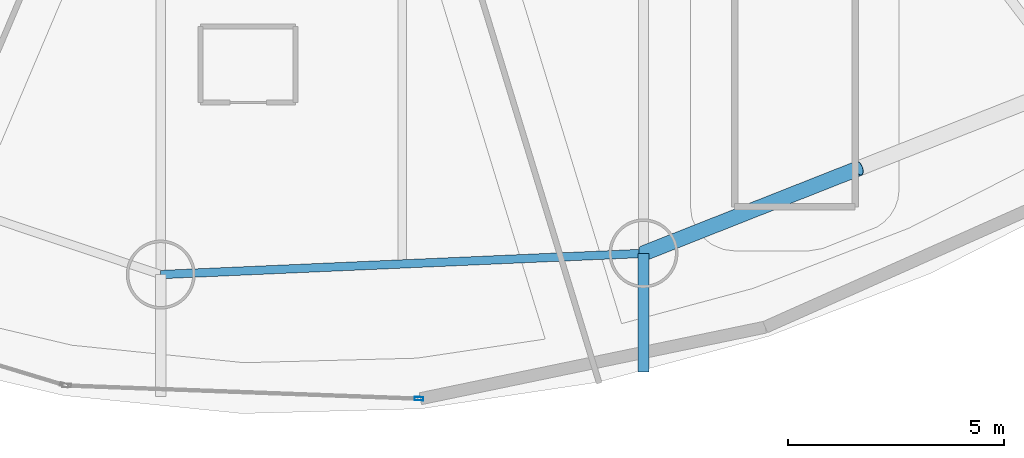
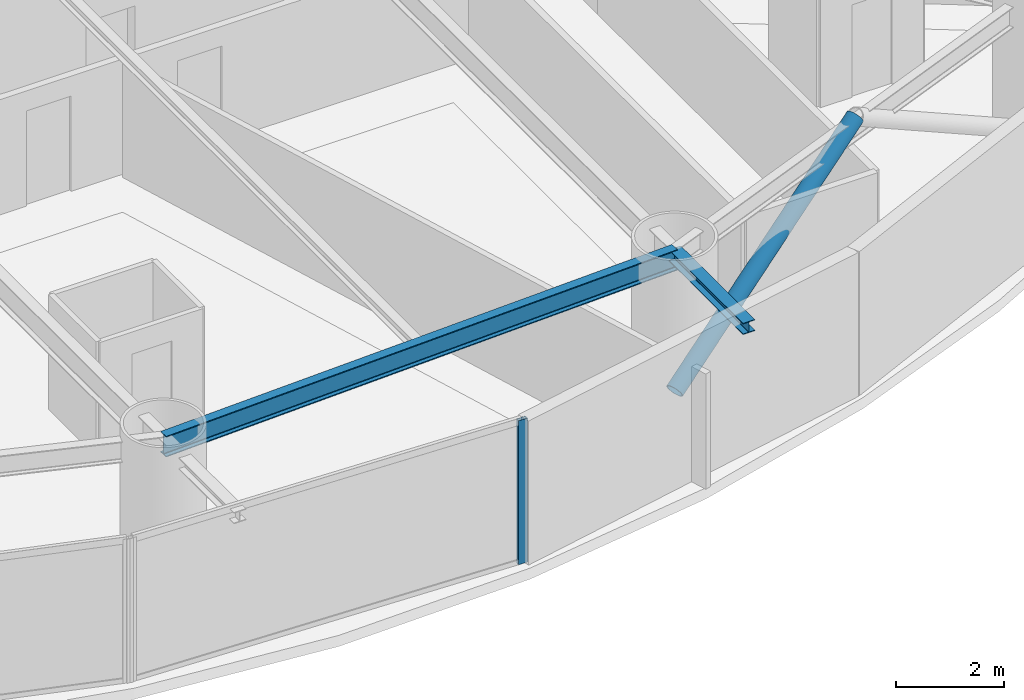
# One storey, part 8 of 27: 2 beams, 2 members, 1 element without a shape of its own.
"""IFC4 building model written with IfcOpenShell, lengths in metres."""

from ifc_helpers import new_model, si_unit, direction, frame, origin, origin_2d, place, context, subcontext, project, spatial, hollow_rectangle, hollow_circle, i_section, extrude, material, layer, layer_set, material_profile, profile_set, type_object, element, aggregate, save


model = new_model("IFC4")

# Units and contexts
model_context = context("Model", 3, precision=1e-05, world=origin(), true_north=direction((0.0, 1.0)))
body_context = subcontext(model_context, "Body", "Model", "MODEL_VIEW")
ifc_project = project(units=[si_unit("LENGTHUNIT", "METRE"), si_unit("AREAUNIT", "SQUARE_METRE"), si_unit("VOLUMEUNIT", "CUBIC_METRE"), si_unit("PLANEANGLEUNIT", "RADIAN"), si_unit("MASSUNIT", "GRAM", prefix="KILO")], contexts=[model_context])

# Site, building, storey
site_placement = place(None, origin())
site = spatial("IfcSite", under=ifc_project, at=site_placement, CompositionType="ELEMENT")
building_placement = place(site_placement, origin())
building = spatial("IfcBuilding", under=site, at=building_placement, Name="Bramvorn Convention Spire", CompositionType="ELEMENT")
storey_placement = place(building_placement, frame((0.0, 0.0, 72.89990234375)))
storey = spatial("IfcBuildingStorey", under=building, at=storey_placement, Name="L16", CompositionType="ELEMENT", Elevation=72.89990234375)

# Beams
ifc_material_1 = material(Name="Steel CSA G40.21 Grade 350 (350W)", Category="steel")
ifc_material_profile_1 = material_profile(ifc_material_1, i_section(OverallWidth=0.25390625, OverallDepth=0.2529296875, WebThickness=0.008544921875, FlangeThickness=0.01416015625, FilletRadius=0.011962890625, at=origin_2d()))
ifc_profile_set_1 = profile_set([ifc_material_profile_1], Name="Steel CSA G40.21 Grade 350 (350W) - W250X73")
beam_type_1 = type_object("IfcBeamType", Name="BM-W250X73", PredefinedType="BEAM", material=ifc_profile_set_1)
beam_1_placement = place(storey_placement, frame((46.23779296875, 5.42333984375, 3.108642578125), z_axis=(0.0, -1.0, 0.0), x_axis=(1.0, 0.0, 0.0)))
element("IfcBeam", 1, at=beam_1_placement, inside=storey, type_object=beam_type_1, Name="L16 slab-edge cantilever tip beam MC14", PredefinedType="BEAM", context=body_context, shape_type="SweptSolid", body=[
    extrude(i_section(OverallWidth=0.25390625, OverallDepth=0.2529296875, WebThickness=0.008544921875, FlangeThickness=0.01416015625, FilletRadius=0.011962890625, at=origin_2d()), origin(), (0.0, 0.0, 1.0), 2.74755859375),
])
ifc_material_profile_2 = material_profile(ifc_material_1, i_section(OverallWidth=0.194091796875, OverallDepth=0.468994140625, WebThickness=0.0126953125, FlangeThickness=0.0205078125, FilletRadius=0.01806640625, at=origin_2d()))
ifc_profile_set_2 = profile_set([ifc_material_profile_2], Name="Steel CSA G40.21 Grade 350 (350W) - W460X106")
beam_type_2 = type_object("IfcBeamType", Name="BM-W460X106", PredefinedType="SPANDREL", material=ifc_profile_set_2)
beam_2_placement = place(storey_placement, frame((35.0390625, 4.93115234375, 3.015625), z_axis=(0.999035582762, 0.043907907889, 0.0), x_axis=(-0.043907907889, 0.999035582762, 0.0)))
element("IfcBeam", 2, at=beam_2_placement, inside=storey, type_object=beam_type_2, Name="L16 mega-column ring beam 13", PredefinedType="SPANDREL", context=body_context, shape_type="SweptSolid", body=[
    extrude(i_section(OverallWidth=0.194091796875, OverallDepth=0.468994140625, WebThickness=0.0126953125, FlangeThickness=0.0205078125, FilletRadius=0.01806640625, at=origin_2d()), origin(), (0.0, 0.0, 1.0), 11.20947265625),
])

# Curtain wall, member
ifc_material_2 = material(Name="Anodised Bronze Unitised Curtain Wall", Category="aluminium")
ifc_layer = layer(ifc_material_2, 0.179931640625)
ifc_layer_set = layer_set([ifc_layer], Name="Anodised Bronze Unitised Curtain Wall - CW-HTL-FRIT")
curtain_wall_type = type_object("IfcCurtainWallType", Name="CW-HTL-FRIT", PredefinedType="USERDEFINED", material=ifc_layer_set)
curtain_wall_placement = place(storey_placement, origin())
curtain_wall = element("IfcCurtainWall", 3, at=curtain_wall_placement, inside=storey, type_object=curtain_wall_type, Name="L16 fritted glass curtain wall 19", ObjectType="UNITISED CURTAIN WALL", PredefinedType="USERDEFINED")
ifc_material_3 = material(Name="Anodised Bronze Aluminium 6063-T6", Category="aluminium")
ifc_material_profile_3 = material_profile(ifc_material_3, hollow_rectangle(XDim=0.080078125, YDim=0.199951171875, WallThickness=0.00390625, InnerFilletRadius=0.0009765625, OuterFilletRadius=0.00390625, at=origin_2d()))
ifc_profile_set_3 = profile_set([ifc_material_profile_3], Name="Anodised Bronze Aluminium 6063-T6 - CWM80X200")
member_type_1 = type_object("IfcMemberType", Name="CW-MUL-180", PredefinedType="MULLION", material=ifc_profile_set_3)
member_1_placement = place(storey_placement, frame((41.03271484375, 2.052001953125, 0.0), z_axis=(0.0, 0.0, 1.0), x_axis=(-0.037396718342, -0.999300498077, 0.0)))
member_1 = element("IfcMember", 4, at=member_1_placement, type_object=member_type_1, Name="CW2 mullion 1", PredefinedType="MULLION", context=body_context, shape_type="SweptSolid", body=[
    extrude(hollow_rectangle(XDim=0.080078125, YDim=0.199951171875, WallThickness=0.00390625, InnerFilletRadius=0.0009765625, OuterFilletRadius=0.00390625, at=origin_2d()), origin(), (0.0, 0.0, 1.0), 3.25),
])
aggregate(curtain_wall, [member_1])

# Member
ifc_material_profile_4 = material_profile(ifc_material_1, hollow_circle(Radius=0.177734375, WallThickness=0.015869140625, at=origin_2d()))
ifc_profile_set_4 = profile_set([ifc_material_profile_4], Name="Steel CSA G40.21 Grade 350 (350W) - CHS356X16")
member_type_2 = type_object("IfcMemberType", Name="MBR-CHS356X16", PredefinedType="BRACE", material=ifc_profile_set_4)
member_2_placement = place(storey_placement, frame((46.23779296875, 5.42333984375, 0.0), z_axis=(0.795674251791, 0.314435032295, 0.517719128005), x_axis=(-0.367523576179, 0.930014204705, 0.0)))
element("IfcMember", 5, at=member_2_placement, inside=storey, type_object=member_type_2, Name="L16 perimeter Gothic lancet brace 14A", PredefinedType="BRACE", context=body_context, shape_type="SweptSolid", body=[
    extrude(hollow_circle(Radius=0.177734375, WallThickness=0.015869140625, at=origin_2d()), origin(), (0.0, 0.0, 1.0), 6.277587890625),
])

save(model, "model.ifc")
